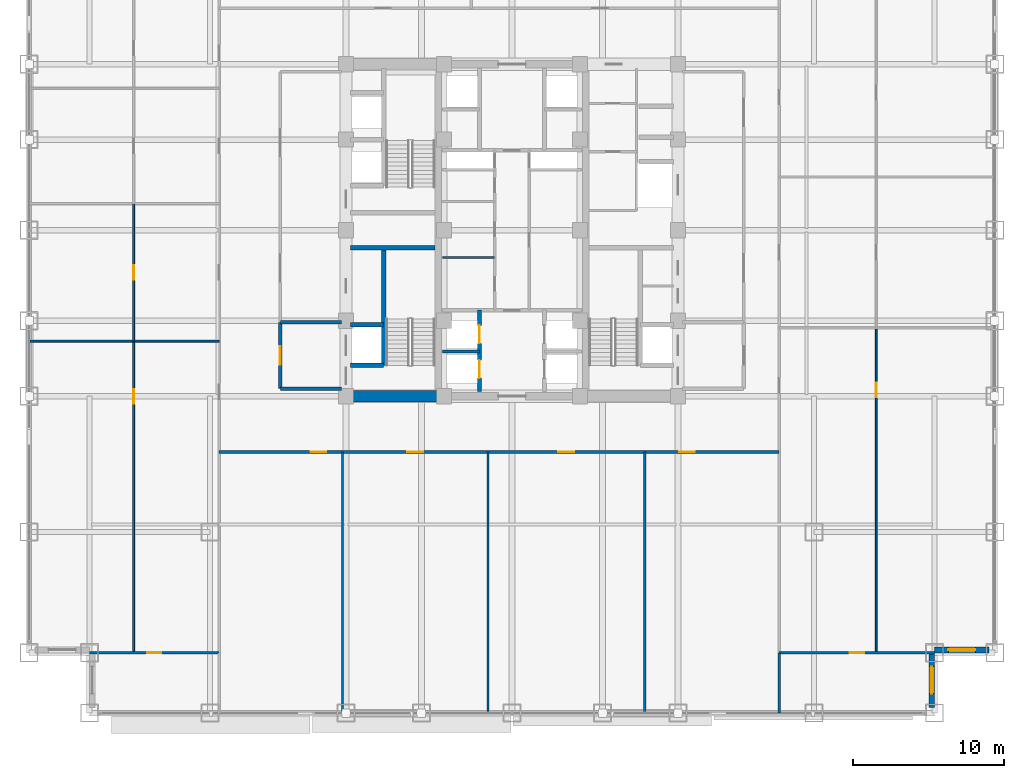
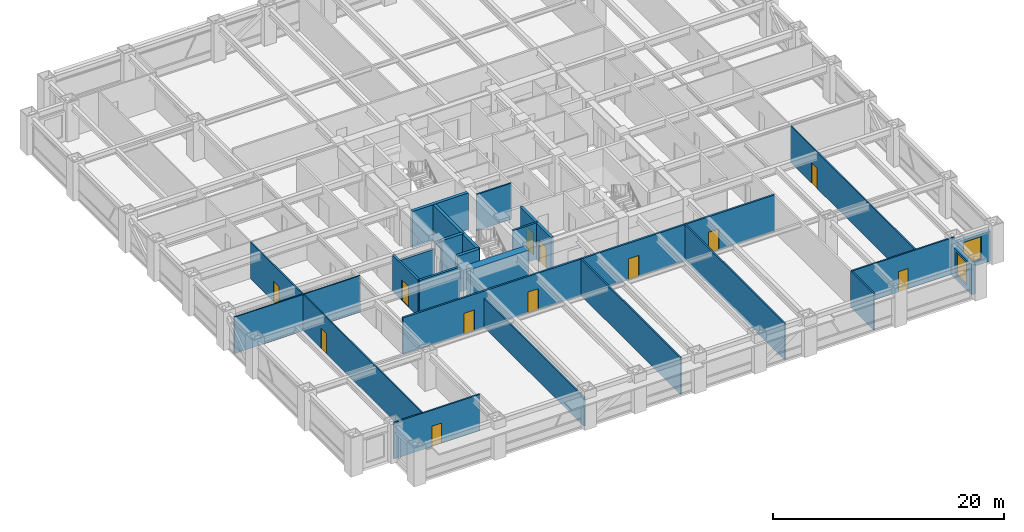
# One storey, part 23 of 32: 24 walls, 12 doors, 2 windows, 14 openings.
"""IFC4 building model written with IfcOpenShell, lengths in metres."""

from ifc_helpers import new_model, si_unit, direction, frame, frame_2d, origin, place, context, subcontext, project, spatial, rectangle, extrude, source, transform, mapped, material, layer, layer_set, type_object, element, fill, save


model = new_model("IFC4")

# Units and contexts
model_context = context("Model", 3, precision=1e-05, world=origin(), true_north=direction((0.0, 1.0)))
body_context = subcontext(model_context, "Body", "Model", "MODEL_VIEW")
ifc_project = project(units=[si_unit("LENGTHUNIT", "METRE"), si_unit("AREAUNIT", "SQUARE_METRE"), si_unit("VOLUMEUNIT", "CUBIC_METRE"), si_unit("PLANEANGLEUNIT", "RADIAN"), si_unit("MASSUNIT", "GRAM", prefix="KILO")], contexts=[model_context])

# Site, building, storey
site_placement = place(None, origin())
site = spatial("IfcSite", under=ifc_project, at=site_placement, CompositionType="ELEMENT")
building_placement = place(site_placement, origin())
building = spatial("IfcBuilding", under=site, at=building_placement, Name="Khorayat Bourse Tower", CompositionType="ELEMENT")
storey_placement = place(building_placement, frame((0.0, 0.0, 136.5)))
storey = spatial("IfcBuildingStorey", under=building, at=storey_placement, Name="L31", CompositionType="ELEMENT", Elevation=136.5)

# Walls
ifc_material_1 = material(Name="Concrete C72/90", Category="concrete")
ifc_layer_1 = layer(ifc_material_1, 0.75)
ifc_layer_set_1 = layer_set([ifc_layer_1], Name="Concrete C72/90")
wall_type_1 = type_object("IfcWallType", Name="WAL-CORE-750", PredefinedType="SHEAR", material=ifc_layer_set_1)
shared_shape_1 = source(origin(), body_context, "Body", "SweptSolid", [
    extrude(rectangle(XDim=5.849853515625, YDim=0.75, at=frame_2d((2.9248046875, 0.0))), origin(), (0.0, 0.0, 1.0), 3.840087890625),
])
wall_1_placement = place(storey_placement, frame((-10.699951171875, -11.0, 0.0), z_axis=(0.0, 0.0, 1.0), x_axis=(1.0, 0.0, 0.0)))
element("IfcWall", 1, at=wall_1_placement, inside=storey, type_object=wall_type_1, Name="L31 Core Shear Wall PIER-WS", PredefinedType="SHEAR", context=body_context, shape_type="MappedRepresentation", body=[
    mapped(shared_shape_1, transform((0.0, 0.0, 0.0), scale=1.0)),
])
ifc_material_2 = material(Name="Concrete C50/60", Category="concrete")
ifc_layer_2 = layer(ifc_material_2, 0.300048828125)
ifc_layer_set_2 = layer_set([ifc_layer_2], Name="Concrete C50/60")
wall_type_2 = type_object("IfcWallType", Name="WAL-SHAFT-300", PredefinedType="SHEAR", material=ifc_layer_set_2)
shared_shape_2 = source(origin(), body_context, "Body", "SweptSolid", [
    extrude(rectangle(XDim=5.599853515625, YDim=0.300048828125, at=frame_2d((2.7998046875, 0.0))), origin(), (0.0, 0.0, 1.0), 3.840087890625),
])
wall_2_placement = place(storey_placement, frame((-10.699951171875, -1.14990234375, 0.0), z_axis=(0.0, 0.0, 1.0), x_axis=(1.0, 0.0, 0.0)))
element("IfcWall", 2, at=wall_2_placement, inside=storey, type_object=wall_type_2, Name="L31 Core Shear Wall ST1-DIV", PredefinedType="SHEAR", context=body_context, shape_type="MappedRepresentation", body=[
    mapped(shared_shape_2, transform((0.0, 0.0, 0.0), scale=1.0)),
])

# Wall, opening, window
ifc_material_3 = material(Name="Precast concrete C45/55", Category="concrete")
ifc_layer_3 = layer(ifc_material_3, 0.3798828125)
ifc_layer_set_3 = layer_set([ifc_layer_3], Name="Precast concrete C45/55")
wall_type_3 = type_object("IfcWallType", Name="WAL-EXT-STONE-380", PredefinedType="STANDARD", material=ifc_layer_set_3)
shared_shape_3 = source(origin(), body_context, "Body", "SweptSolid", [
    extrude(rectangle(XDim=3.6201171875, YDim=0.3798828125, at=frame_2d((1.81005859375, 0.0))), origin(), (0.0, 0.0, 1.0), 3.14501953125),
])
wall_3_placement = place(storey_placement, frame((27.81005859375, -31.6201171875, 0.0), z_axis=(0.0, 0.0, 1.0), x_axis=(0.0, 1.0, 0.0)))
wall_3 = element("IfcWall", 3, at=wall_3_placement, inside=storey, type_object=wall_type_3, Name="L31 Re-Entrant Notch Limestone Wall SE-V", PredefinedType="STANDARD", context=body_context, shape_type="MappedRepresentation", body=[
    mapped(shared_shape_3, transform((0.0, 0.0, 0.0), scale=1.0)),
])
shared_shape_4 = source(origin(), body_context, "Body", "SweptSolid", [
    extrude(rectangle(XDim=1.800048828125, YDim=2.39990234375, at=frame_2d((0.89990234375, 1.199951171875))), frame((0.0, 0.199951171875, 0.0), z_axis=(0.0, -1.0, 0.0), x_axis=(1.0, 0.0, 0.0)), (0.0, 0.0, 1.0), 0.39990234375),
])
opening_1_placement = place(wall_3_placement, frame((0.909912109375, 0.0, 0.5)))
opening_1 = element("IfcOpeningElement", 4, at=opening_1_placement, cuts=wall_3, Name="Opening WN-04", PredefinedType="OPENING", context=body_context, shape_type="MappedRepresentation", body=[
    mapped(shared_shape_4, transform((0.0, 0.0, 0.0), scale=1.0)),
])
ifc_material_4 = material(Name="Low-E acoustic laminated double glazing", Category="glass")
window_type = type_object("IfcWindowType", Name="WIN-NOTCH-1800x2400", PartitioningType="SINGLE_PANEL", PredefinedType="WINDOW", material=ifc_material_4)
shared_shape_5 = source(origin(), body_context, "Body", "SweptSolid", [
    extrude(rectangle(XDim=1.800048828125, YDim=2.39990234375, at=frame_2d((0.89990234375, 1.199951171875))), frame((0.0, 0.030029296875, 0.0), z_axis=(0.0, -1.0, 0.0), x_axis=(1.0, 0.0, 0.0)), (0.0, 0.0, 1.0), 0.06005859375),
])
window_1_placement = place(opening_1_placement, origin())
window_1 = element("IfcWindow", 5, at=window_1_placement, inside=storey, type_object=window_type, Name="L31 Facade Window 1", OverallHeight=2.39990234375, OverallWidth=1.800048828125, PartitioningType="SINGLE_PANEL", PredefinedType="WINDOW", context=body_context, shape_type="MappedRepresentation", body=[
    mapped(shared_shape_5, transform((0.0, 0.0, 0.0), scale=1.0)),
])
fill(opening_1, window_1)

wall_4_placement = place(storey_placement, frame((28.0, -27.81005859375, 0.0), z_axis=(0.0, 0.0, 1.0), x_axis=(1.0, 0.0, 0.0)))
wall_4 = element("IfcWall", 6, at=wall_4_placement, inside=storey, type_object=wall_type_3, Name="L31 Re-Entrant Notch Limestone Wall SE-H", PredefinedType="STANDARD", context=body_context, shape_type="MappedRepresentation", body=[
    mapped(shared_shape_3, transform((0.0, 0.0, 0.0), scale=1.0)),
])
opening_2_placement = place(wall_4_placement, frame((0.909912109375, 0.0, 0.5)))
opening_2 = element("IfcOpeningElement", 7, at=opening_2_placement, cuts=wall_4, Name="Opening WN-04", PredefinedType="OPENING", context=body_context, shape_type="MappedRepresentation", body=[
    mapped(shared_shape_4, transform((0.0, 0.0, 0.0), scale=1.0)),
])
window_2_placement = place(opening_2_placement, origin())
window_2 = element("IfcWindow", 8, at=window_2_placement, inside=storey, type_object=window_type, Name="L31 Facade Window 1", OverallHeight=2.39990234375, OverallWidth=1.800048828125, PartitioningType="SINGLE_PANEL", PredefinedType="WINDOW", context=body_context, shape_type="MappedRepresentation", body=[
    mapped(shared_shape_5, transform((0.0, 0.0, 0.0), scale=1.0)),
])
fill(opening_2, window_2)

# Walls
shared_shape_6 = source(origin(), body_context, "Body", "SweptSolid", [
    extrude(rectangle(XDim=7.800048828125, YDim=0.300048828125, at=frame_2d((3.89990234375, 0.0))), origin(), (0.0, 0.0, 1.0), 3.840087890625),
])
wall_5_placement = place(storey_placement, frame((-8.5, -8.949951171875, 0.0), z_axis=(0.0, 0.0, 1.0), x_axis=(0.0, 1.0, 0.0)))
element("IfcWall", 9, at=wall_5_placement, inside=storey, type_object=wall_type_2, Name="L31 Partition WAL-L31-WPIER-SP", PredefinedType="SHEAR", context=body_context, shape_type="MappedRepresentation", body=[
    mapped(shared_shape_6, transform((0.0, 0.0, 0.0), scale=1.0)),
])
shared_shape_7 = source(origin(), body_context, "Body", "SweptSolid", [
    extrude(rectangle(XDim=2.199951171875, YDim=0.300048828125, at=frame_2d((1.10009765625, 0.0))), origin(), (0.0, 0.0, 1.0), 3.840087890625),
])
for number, where, z_axis, x_axis, name in (
    (10, (-10.699951171875, -8.949951171875, 0.0), (0.0, 0.0, 1.0), (1.0, 0.0, 0.0), "L31 Partition WAL-L31-WPIER-FF1S"),
    (11, (-10.699951171875, -6.25, 0.0), (0.0, 0.0, 1.0), (1.0, 0.0, 0.0), "L31 Partition WAL-L31-WPIER-FF1N"),
):
    element("IfcWall", number, at=place(storey_placement, frame(where, z_axis=z_axis, x_axis=x_axis)), inside=storey, type_object=wall_type_2, Name=name, PredefinedType="SHEAR", context=body_context, shape_type="MappedRepresentation", body=[
        mapped(shared_shape_7, transform((0.0, 0.0, 0.0), scale=1.0)),
    ])
ifc_material_5 = material(Name="Aerated concrete blockwork", Category="masonry")
ifc_layer_4 = layer(ifc_material_5, 0.219970703125)
ifc_layer_set_4 = layer_set([ifc_layer_4], Name="Aerated concrete blockwork")
wall_type_4 = type_object("IfcWallType", Name="WAL-PART-FF-220", PredefinedType="PARTITIONING", material=ifc_layer_set_4)
shared_shape_8 = source(origin(), body_context, "Body", "SweptSolid", [
    extrude(rectangle(XDim=4.050048828125, YDim=0.219970703125, at=frame_2d((2.02490234375, 0.0))), origin(), (0.0, 0.0, 1.0), 3.840087890625),
])
wall_6_placement = place(storey_placement, frame((-15.35009765625, -10.5, 0.0), z_axis=(0.0, 0.0, 1.0), x_axis=(1.0, 0.0, 0.0)))
element("IfcWall", 12, at=wall_6_placement, inside=storey, type_object=wall_type_4, Name="L31 Partition WAL-L31-FFLW-S", PredefinedType="PARTITIONING", context=body_context, shape_type="MappedRepresentation", body=[
    mapped(shared_shape_8, transform((0.0, 0.0, 0.0), scale=1.0)),
])

# Wall, opening, door
shared_shape_9 = source(origin(), body_context, "Body", "SweptSolid", [
    extrude(rectangle(XDim=4.39990234375, YDim=0.219970703125, at=frame_2d((2.199951171875, 0.0))), origin(), (0.0, 0.0, 1.0), 3.840087890625),
])
wall_7_placement = place(storey_placement, frame((-15.35009765625, -10.5, 0.0), z_axis=(0.0, 0.0, 1.0), x_axis=(0.0, 1.0, 0.0)))
wall_7 = element("IfcWall", 13, at=wall_7_placement, inside=storey, type_object=wall_type_4, Name="L31 Partition WAL-L31-FFLW-W", PredefinedType="PARTITIONING", context=body_context, shape_type="MappedRepresentation", body=[
    mapped(shared_shape_9, transform((0.0, 0.0, 0.0), scale=1.0)),
])
shared_shape_10 = source(origin(), body_context, "Body", "SweptSolid", [
    extrude(rectangle(XDim=1.199951171875, YDim=2.199951171875, at=frame_2d((0.60009765625, 1.10009765625))), frame((0.0, 0.119873046875, 0.0), z_axis=(0.0, -1.0, 0.0), x_axis=(1.0, 0.0, 0.0)), (0.0, 0.0, 1.0), 0.239990234375),
])
opening_3_placement = place(wall_7_placement, frame((1.60009765625, 0.0, 0.0)))
opening_3 = element("IfcOpeningElement", 14, at=opening_3_placement, cuts=wall_7, Name="Opening DI-02", PredefinedType="OPENING", context=body_context, shape_type="MappedRepresentation", body=[
    mapped(shared_shape_10, transform((0.0, 0.0, 0.0), scale=1.0)),
])
ifc_material_6 = material(Name="Fire-rated steel double-seal leaf", Category="steel")
door_type_1 = type_object("IfcDoorType", Name="DR-INT-FFLOBBY-1200", OperationType="NOTDEFINED", PredefinedType="DOOR", material=ifc_material_6)
shared_shape_11 = source(origin(), body_context, "Body", "SweptSolid", [
    extrude(rectangle(XDim=1.199951171875, YDim=2.199951171875, at=frame_2d((0.60009765625, 1.10009765625))), frame((0.0, 0.02490234375, 0.0), z_axis=(0.0, -1.0, 0.0), x_axis=(1.0, 0.0, 0.0)), (0.0, 0.0, 1.0), 0.050048828125),
])
door_1_placement = place(opening_3_placement, origin())
door_1 = element("IfcDoor", 15, at=door_1_placement, inside=storey, type_object=door_type_1, Name="L31 West Firefighting Lobby Door", OperationType="SINGLE_SWING_LEFT", OverallHeight=2.199951171875, OverallWidth=1.199951171875, PredefinedType="DOOR", context=body_context, shape_type="MappedRepresentation", body=[
    mapped(shared_shape_11, transform((0.0, 0.0, 0.0), scale=1.0)),
])
fill(opening_3, door_1)

# Wall, openings, doors
shared_shape_12 = source(origin(), body_context, "Body", "SweptSolid", [
    extrude(rectangle(XDim=5.39990234375, YDim=0.25, at=frame_2d((2.699951171875, 0.0))), origin(), (0.0, 0.0, 1.0), 3.840087890625),
])
wall_8_placement = place(storey_placement, frame((-2.14990234375, -10.699951171875, 0.0), z_axis=(0.0, 0.0, 1.0), x_axis=(0.0, 1.0, 0.0)))
wall_8 = element("IfcWall", 16, at=wall_8_placement, inside=storey, type_object=wall_type_2, Name="L31 Partition WAL-L31-B1-W", PredefinedType="SHEAR", context=body_context, shape_type="MappedRepresentation", body=[
    mapped(shared_shape_12, transform((0.0, 0.0, 0.0), scale=1.0)),
])
shared_shape_13 = source(origin(), body_context, "Body", "SweptSolid", [
    extrude(rectangle(XDim=1.199951171875, YDim=2.300048828125, at=frame_2d((0.60009765625, 1.14990234375))), frame((0.0, 0.135009765625, 0.0), z_axis=(0.0, -1.0, 0.0), x_axis=(1.0, 0.0, 0.0)), (0.0, 0.0, 1.0), 0.27001953125),
])
opening_4_placement = place(wall_8_placement, frame((0.89990234375, 0.0, 0.0)))
opening_4 = element("IfcOpeningElement", 17, at=opening_4_placement, cuts=wall_8, Name="Opening LD-01", PredefinedType="OPENING", context=body_context, shape_type="MappedRepresentation", body=[
    mapped(shared_shape_13, transform((0.0, 0.0, 0.0), scale=1.0)),
])
opening_5_placement = place(wall_8_placement, frame((3.199951171875, 0.0, 0.0)))
opening_5 = element("IfcOpeningElement", 18, at=opening_5_placement, cuts=wall_8, Name="Opening LD-01", PredefinedType="OPENING", context=body_context, shape_type="MappedRepresentation", body=[
    mapped(shared_shape_13, transform((0.0, 0.0, 0.0), scale=1.0)),
])
ifc_material_7 = material(Name="Brushed bronze stainless-steel sliding door", Category="steel")
door_type_2 = type_object("IfcDoorType", Name="DR-LIFT-PASS-1200", OperationType="NOTDEFINED", PredefinedType="DOOR", material=ifc_material_7)
shared_shape_14 = source(origin(), body_context, "Body", "SweptSolid", [
    extrude(rectangle(XDim=1.199951171875, YDim=2.300048828125, at=frame_2d((0.60009765625, 1.14990234375))), frame((0.0, 0.02490234375, 0.0), z_axis=(0.0, -1.0, 0.0), x_axis=(1.0, 0.0, 0.0)), (0.0, 0.0, 1.0), 0.050048828125),
])
door_2_placement = place(opening_4_placement, origin())
door_2 = element("IfcDoor", 19, at=door_2_placement, inside=storey, type_object=door_type_2, Name="L31 Lift PL-L1 Sliding Landing Door", OperationType="SLIDING_TO_LEFT", OverallHeight=2.300048828125, OverallWidth=1.199951171875, PredefinedType="DOOR", context=body_context, shape_type="MappedRepresentation", body=[
    mapped(shared_shape_14, transform((0.0, 0.0, 0.0), scale=1.0)),
])
fill(opening_4, door_2)
door_3_placement = place(opening_5_placement, origin())
door_3 = element("IfcDoor", 20, at=door_3_placement, inside=storey, type_object=door_type_2, Name="L31 Lift PL-L3 Sliding Landing Door", OperationType="SLIDING_TO_LEFT", OverallHeight=2.300048828125, OverallWidth=1.199951171875, PredefinedType="DOOR", context=body_context, shape_type="MappedRepresentation", body=[
    mapped(shared_shape_14, transform((0.0, 0.0, 0.0), scale=1.0)),
])
fill(opening_5, door_3)

# Walls
shared_shape_15 = source(origin(), body_context, "Body", "SweptSolid", [
    extrude(rectangle(XDim=2.4501953125, YDim=0.199951171875, at=frame_2d((1.22509765625, 0.0))), origin(), (0.0, 0.0, 1.0), 3.840087890625),
])
wall_9_placement = place(storey_placement, frame((-4.60009765625, -8.050048828125, 0.0), z_axis=(0.0, 0.0, 1.0), x_axis=(1.0, 0.0, 0.0)))
element("IfcWall", 21, at=wall_9_placement, inside=storey, type_object=wall_type_2, Name="L31 Partition WAL-L31-B1-MW", PredefinedType="SHEAR", context=body_context, shape_type="MappedRepresentation", body=[
    mapped(shared_shape_15, transform((0.0, 0.0, 0.0), scale=1.0)),
])
ifc_material_8 = material(Name="Moisture-resistant masonry partition", Category="masonry")
ifc_layer_5 = layer(ifc_material_8, 0.139892578125)
ifc_layer_set_5 = layer_set([ifc_layer_5], Name="Moisture-resistant masonry partition")
wall_type_5 = type_object("IfcWallType", Name="WAL-PART-WET-140", PredefinedType="PARTITIONING", material=ifc_layer_set_5)
shared_shape_16 = source(origin(), body_context, "Body", "SweptSolid", [
    extrude(rectangle(XDim=3.4501953125, YDim=0.139892578125, at=frame_2d((1.72509765625, 0.0))), origin(), (0.0, 0.0, 1.0), 3.840087890625),
])
wall_10_placement = place(storey_placement, frame((-4.60009765625, -1.800048828125, 0.0), z_axis=(0.0, 0.0, 1.0), x_axis=(1.0, 0.0, 0.0)))
element("IfcWall", 22, at=wall_10_placement, inside=storey, type_object=wall_type_5, Name="L31 Partition WAL-L31-CMW-D1", PredefinedType="PARTITIONING", context=body_context, shape_type="MappedRepresentation", body=[
    mapped(shared_shape_16, transform((0.0, 0.0, 0.0), scale=1.0)),
])

# Wall, openings, doors
ifc_material_9 = material(Name="Gypsum plasterboard acoustic stud wall")
ifc_layer_6 = layer(ifc_material_9, 0.179931640625)
ifc_layer_set_6 = layer_set([ifc_layer_6], Name="Gypsum plasterboard acoustic stud wall")
wall_type_6 = type_object("IfcWallType", Name="WAL-PART-CORR-180", PredefinedType="PARTITIONING", material=ifc_layer_set_6)
shared_shape_17 = source(origin(), body_context, "Body", "SweptSolid", [
    extrude(rectangle(XDim=37.099853515625, YDim=0.179931640625, at=frame_2d((18.5498046875, 0.0))), origin(), (0.0, 0.0, 1.0), 3.840087890625),
])
wall_11_placement = place(storey_placement, frame((-19.39990234375, -14.699951171875, 0.0), z_axis=(0.0, 0.0, 1.0), x_axis=(1.0, 0.0, 0.0)))
wall_11 = element("IfcWall", 23, at=wall_11_placement, inside=storey, type_object=wall_type_6, Name="L31 Partition WAL-L31-SCORR", PredefinedType="PARTITIONING", context=body_context, shape_type="MappedRepresentation", body=[
    mapped(shared_shape_17, transform((0.0, 0.0, 0.0), scale=1.0)),
])
shared_shape_18 = source(origin(), body_context, "Body", "SweptSolid", [
    extrude(rectangle(XDim=1.050048828125, YDim=2.199951171875, at=frame_2d((0.52490234375, 1.10009765625))), frame((0.0, 0.099853515625, 0.0), z_axis=(0.0, -1.0, 0.0), x_axis=(1.0, 0.0, 0.0)), (0.0, 0.0, 1.0), 0.199951171875),
])
opening_6_placement = place(wall_11_placement, frame((6.055908203125, 0.0, 0.0)))
opening_6 = element("IfcOpeningElement", 24, at=opening_6_placement, cuts=wall_11, Name="Opening DI-04", PredefinedType="OPENING", context=body_context, shape_type="MappedRepresentation", body=[
    mapped(shared_shape_18, transform((0.0, 0.0, 0.0), scale=1.0)),
])
opening_7_placement = place(wall_11_placement, frame((12.4599609375, 0.0, 0.0)))
opening_7 = element("IfcOpeningElement", 25, at=opening_7_placement, cuts=wall_11, Name="Opening DI-04", PredefinedType="OPENING", context=body_context, shape_type="MappedRepresentation", body=[
    mapped(shared_shape_18, transform((0.0, 0.0, 0.0), scale=1.0)),
])
opening_8_placement = place(wall_11_placement, frame((22.47705078125, 0.0, 0.0)))
opening_8 = element("IfcOpeningElement", 26, at=opening_8_placement, cuts=wall_11, Name="Opening DI-04", PredefinedType="OPENING", context=body_context, shape_type="MappedRepresentation", body=[
    mapped(shared_shape_18, transform((0.0, 0.0, 0.0), scale=1.0)),
])
opening_9_placement = place(wall_11_placement, frame((30.472900390625, 0.0, 0.0)))
opening_9 = element("IfcOpeningElement", 27, at=opening_9_placement, cuts=wall_11, Name="Opening DI-04", PredefinedType="OPENING", context=body_context, shape_type="MappedRepresentation", body=[
    mapped(shared_shape_18, transform((0.0, 0.0, 0.0), scale=1.0)),
])
ifc_material_10 = material(Name="Fire-rated oak veneer suite entrance door")
door_type_3 = type_object("IfcDoorType", Name="DR-INT-SUITE-1050", OperationType="NOTDEFINED", PredefinedType="DOOR", material=ifc_material_10)
shared_shape_19 = source(origin(), body_context, "Body", "SweptSolid", [
    extrude(rectangle(XDim=1.050048828125, YDim=2.199951171875, at=frame_2d((0.52490234375, 1.10009765625))), frame((0.0, 0.02490234375, 0.0), z_axis=(0.0, -1.0, 0.0), x_axis=(1.0, 0.0, 0.0)), (0.0, 0.0, 1.0), 0.050048828125),
])
door_4_placement = place(opening_6_placement, origin())
door_4 = element("IfcDoor", 28, at=door_4_placement, inside=storey, type_object=door_type_3, Name="L31 Floor Reception Concierge S1 Door", OperationType="SINGLE_SWING_RIGHT", OverallHeight=2.199951171875, OverallWidth=1.050048828125, PredefinedType="DOOR", context=body_context, shape_type="MappedRepresentation", body=[
    mapped(shared_shape_19, transform((0.0, 0.0, 0.0), scale=1.0)),
])
fill(opening_6, door_4)
door_5_placement = place(opening_7_placement, origin())
door_5 = element("IfcDoor", 29, at=door_5_placement, inside=storey, type_object=door_type_3, Name="L31 Issuer Listing Showroom S2 Door", OperationType="SINGLE_SWING_LEFT", OverallHeight=2.199951171875, OverallWidth=1.050048828125, PredefinedType="DOOR", context=body_context, shape_type="MappedRepresentation", body=[
    mapped(shared_shape_19, transform((0.0, 0.0, 0.0), scale=1.0)),
])
fill(opening_7, door_5)
door_6_placement = place(opening_8_placement, origin())
door_6 = element("IfcDoor", 30, at=door_6_placement, inside=storey, type_object=door_type_3, Name="L31 Members Exchange Lounge S3 Door", OperationType="SINGLE_SWING_RIGHT", OverallHeight=2.199951171875, OverallWidth=1.050048828125, PredefinedType="DOOR", context=body_context, shape_type="MappedRepresentation", body=[
    mapped(shared_shape_19, transform((0.0, 0.0, 0.0), scale=1.0)),
])
fill(opening_8, door_6)
door_7_placement = place(opening_9_placement, origin())
door_7 = element("IfcDoor", 31, at=door_7_placement, inside=storey, type_object=door_type_3, Name="L31 Members Dining Room S4 Door", OperationType="SINGLE_SWING_LEFT", OverallHeight=2.199951171875, OverallWidth=1.050048828125, PredefinedType="DOOR", context=body_context, shape_type="MappedRepresentation", body=[
    mapped(shared_shape_19, transform((0.0, 0.0, 0.0), scale=1.0)),
])
fill(opening_9, door_7)

# Walls
ifc_material_11 = material(Name="Gypsum plasterboard twin-frame partition")
ifc_layer_7 = layer(ifc_material_11, 0.14990234375)
ifc_layer_set_7 = layer_set([ifc_layer_7], Name="Gypsum plasterboard twin-frame partition")
wall_type_7 = type_object("IfcWallType", Name="WAL-PART-SUITE-150", PredefinedType="PARTITIONING", material=ifc_layer_set_7)
shared_shape_20 = source(origin(), body_context, "Body", "SweptSolid", [
    extrude(rectangle(XDim=4.0, YDim=0.14990234375, at=frame_2d((2.0, 0.0))), origin(), (0.0, 0.0, 1.0), 3.840087890625),
])
wall_12_placement = place(storey_placement, frame((17.699951171875, -32.0, 0.0), z_axis=(0.0, 0.0, 1.0), x_axis=(0.0, 1.0, 0.0)))
element("IfcWall", 32, at=wall_12_placement, inside=storey, type_object=wall_type_7, Name="L31 Partition WAL-L31-SCE-END", PredefinedType="PARTITIONING", context=body_context, shape_type="MappedRepresentation", body=[
    mapped(shared_shape_20, transform((0.0, 0.0, 0.0), scale=1.0)),
])
ifc_material_12 = material(Name="Gypsum plasterboard partition")
ifc_layer_8 = layer(ifc_material_12, 0.125)
ifc_layer_set_8 = layer_set([ifc_layer_8], Name="Gypsum plasterboard partition")
wall_type_8 = type_object("IfcWallType", Name="WAL-PART-ROOM-125", PredefinedType="PARTITIONING", material=ifc_layer_set_8)
shared_shape_21 = source(origin(), body_context, "Body", "SweptSolid", [
    extrude(rectangle(XDim=12.60009765625, YDim=0.125, at=frame_2d((6.300048828125, 0.0))), origin(), (0.0, 0.0, 1.0), 3.840087890625),
])
wall_13_placement = place(storey_placement, frame((-32.0, -7.35009765625, 0.0), z_axis=(0.0, 0.0, 1.0), x_axis=(1.0, 0.0, 0.0)))
element("IfcWall", 33, at=wall_13_placement, inside=storey, type_object=wall_type_8, Name="L31 Partition WAL-L31-WDV-1", PredefinedType="PARTITIONING", context=body_context, shape_type="MappedRepresentation", body=[
    mapped(shared_shape_21, transform((0.0, 0.0, 0.0), scale=1.0)),
])

# Wall, opening, door
shared_shape_22 = source(origin(), body_context, "Body", "SweptSolid", [
    extrude(rectangle(XDim=8.60009765625, YDim=0.14990234375, at=frame_2d((4.300048828125, 0.0))), origin(), (0.0, 0.0, 1.0), 3.840087890625),
])
wall_14_placement = place(storey_placement, frame((-28.0, -28.0, 0.0), z_axis=(0.0, 0.0, 1.0), x_axis=(1.0, 0.0, 0.0)))
wall_14 = element("IfcWall", 34, at=wall_14_placement, inside=storey, type_object=wall_type_7, Name="L31 Partition WAL-L31-CSW", PredefinedType="PARTITIONING", context=body_context, shape_type="MappedRepresentation", body=[
    mapped(shared_shape_22, transform((0.0, 0.0, 0.0), scale=1.0)),
])
shared_shape_23 = source(origin(), body_context, "Body", "SweptSolid", [
    extrude(rectangle(XDim=0.949951171875, YDim=2.14990234375, at=frame_2d((0.47509765625, 1.074951171875))), frame((0.0, 0.0849609375, 0.0), z_axis=(0.0, -1.0, 0.0), x_axis=(1.0, 0.0, 0.0)), (0.0, 0.0, 1.0), 0.169921875),
])
opening_10_placement = place(wall_14_placement, frame((3.824951171875, 0.0, 0.0)))
opening_10 = element("IfcOpeningElement", 35, at=opening_10_placement, cuts=wall_14, Name="Opening DI-05", PredefinedType="OPENING", context=body_context, shape_type="MappedRepresentation", body=[
    mapped(shared_shape_23, transform((0.0, 0.0, 0.0), scale=1.0)),
])
ifc_material_13 = material(Name="Acoustic oak veneer office door")
door_type_4 = type_object("IfcDoorType", Name="DR-INT-OFFICE-950", OperationType="NOTDEFINED", PredefinedType="DOOR", material=ifc_material_13)
shared_shape_24 = source(origin(), body_context, "Body", "SweptSolid", [
    extrude(rectangle(XDim=0.949951171875, YDim=2.14990234375, at=frame_2d((0.47509765625, 1.074951171875))), frame((0.0, 0.02490234375, 0.0), z_axis=(0.0, -1.0, 0.0), x_axis=(1.0, 0.0, 0.0)), (0.0, 0.0, 1.0), 0.050048828125),
])
door_8_placement = place(opening_10_placement, origin())
door_8 = element("IfcDoor", 36, at=door_8_placement, inside=storey, type_object=door_type_4, Name="L31 South-West Corner Office Door", OperationType="SINGLE_SWING_LEFT", OverallHeight=2.14990234375, OverallWidth=0.949951171875, PredefinedType="DOOR", context=body_context, shape_type="MappedRepresentation", body=[
    mapped(shared_shape_24, transform((0.0, 0.0, 0.0), scale=1.0)),
])
fill(opening_10, door_8)

shared_shape_25 = source(origin(), body_context, "Body", "SweptSolid", [
    extrude(rectangle(XDim=10.300048828125, YDim=0.14990234375, at=frame_2d((5.14990234375, 0.0))), origin(), (0.0, 0.0, 1.0), 3.840087890625),
])
wall_15_placement = place(storey_placement, frame((17.699951171875, -28.0, 0.0), z_axis=(0.0, 0.0, 1.0), x_axis=(1.0, 0.0, 0.0)))
wall_15 = element("IfcWall", 37, at=wall_15_placement, inside=storey, type_object=wall_type_7, Name="L31 Partition WAL-L31-CSE", PredefinedType="PARTITIONING", context=body_context, shape_type="MappedRepresentation", body=[
    mapped(shared_shape_25, transform((0.0, 0.0, 0.0), scale=1.0)),
])
opening_11_placement = place(wall_15_placement, frame((4.675048828125, 0.0, 0.0)))
opening_11 = element("IfcOpeningElement", 38, at=opening_11_placement, cuts=wall_15, Name="Opening DI-05", PredefinedType="OPENING", context=body_context, shape_type="MappedRepresentation", body=[
    mapped(shared_shape_23, transform((0.0, 0.0, 0.0), scale=1.0)),
])
door_9_placement = place(opening_11_placement, origin())
door_9 = element("IfcDoor", 39, at=door_9_placement, inside=storey, type_object=door_type_4, Name="L31 South-East Corner Briefing Room Door", OperationType="SINGLE_SWING_LEFT", OverallHeight=2.14990234375, OverallWidth=0.949951171875, PredefinedType="DOOR", context=body_context, shape_type="MappedRepresentation", body=[
    mapped(shared_shape_24, transform((0.0, 0.0, 0.0), scale=1.0)),
])
fill(opening_11, door_9)

# Walls
shared_shape_26 = source(origin(), body_context, "Body", "SweptSolid", [
    extrude(rectangle(XDim=4.050048828125, YDim=0.219970703125, at=frame_2d((2.02490234375, 0.0))), origin(), (0.0, 0.0, 1.0), 3.06689453125),
])
wall_16_placement = place(storey_placement, frame((-15.35009765625, -6.10009765625, 0.0), z_axis=(0.0, 0.0, 1.0), x_axis=(1.0, 0.0, 0.0)))
element("IfcWall", 40, at=wall_16_placement, inside=storey, type_object=wall_type_4, Name="L31 Partition WAL-L31-FFLW-N", PredefinedType="PARTITIONING", context=body_context, shape_type="MappedRepresentation", body=[
    mapped(shared_shape_26, transform((0.0, 0.0, 0.0), scale=1.0)),
])
shared_shape_27 = source(origin(), body_context, "Body", "SweptSolid", [
    extrude(rectangle(XDim=17.300048828125, YDim=0.14990234375, at=frame_2d((8.64990234375, 0.0))), origin(), (0.0, 0.0, 1.0), 3.840087890625),
])
for number, where, z_axis, x_axis, name in (
    (41, (-1.592041015625, -32.0, 0.0), (0.0, 0.0, 1.0), (0.0, 1.0, 0.0), "L31 Partition WAL-L31-SDV-2"),
    (42, (8.7958984375, -32.0, 0.0), (0.0, 0.0, 1.0), (0.0, 1.0, 0.0), "L31 Partition WAL-L31-SDV-3"),
):
    element("IfcWall", number, at=place(storey_placement, frame(where, z_axis=z_axis, x_axis=x_axis)), inside=storey, type_object=wall_type_7, Name=name, PredefinedType="PARTITIONING", context=body_context, shape_type="MappedRepresentation", body=[
        mapped(shared_shape_27, transform((0.0, 0.0, 0.0), scale=1.0)),
    ])
shared_shape_28 = source(origin(), body_context, "Body", "SweptSolid", [
    extrude(rectangle(XDim=17.300048828125, YDim=0.14990234375, at=frame_2d((8.64990234375, 0.0))), origin(), (0.0, 0.0, 1.0), 3.06689453125),
])
wall_17_placement = place(storey_placement, frame((-11.238037109375, -32.0, 0.0), z_axis=(0.0, 0.0, 1.0), x_axis=(0.0, 1.0, 0.0)))
element("IfcWall", 43, at=wall_17_placement, inside=storey, type_object=wall_type_7, Name="L31 Partition WAL-L31-SDV-1", PredefinedType="PARTITIONING", context=body_context, shape_type="MappedRepresentation", body=[
    mapped(shared_shape_28, transform((0.0, 0.0, 0.0), scale=1.0)),
])

# Wall, opening, door
shared_shape_29 = source(origin(), body_context, "Body", "SweptSolid", [
    extrude(rectangle(XDim=20.64990234375, YDim=0.125, at=frame_2d((10.324951171875, 0.0))), origin(), (0.0, 0.0, 1.0), 3.840087890625),
])
wall_18_placement = place(storey_placement, frame((-25.070068359375, -28.0, 0.0), z_axis=(0.0, 0.0, 1.0), x_axis=(0.0, 1.0, 0.0)))
wall_18 = element("IfcWall", 44, at=wall_18_placement, inside=storey, type_object=wall_type_8, Name="L31 Partition WAL-L31-WDP-1", PredefinedType="PARTITIONING", context=body_context, shape_type="MappedRepresentation", body=[
    mapped(shared_shape_29, transform((0.0, 0.0, 0.0), scale=1.0)),
])
shared_shape_30 = source(origin(), body_context, "Body", "SweptSolid", [
    extrude(rectangle(XDim=0.949951171875, YDim=2.14990234375, at=frame_2d((0.47509765625, 1.074951171875))), frame((0.0, 0.072509765625, 0.0), z_axis=(0.0, -1.0, 0.0), x_axis=(1.0, 0.0, 0.0)), (0.0, 0.0, 1.0), 0.14501953125),
])
opening_12_placement = place(wall_18_placement, frame((16.5, 0.0, 0.0)))
opening_12 = element("IfcOpeningElement", 45, at=opening_12_placement, cuts=wall_18, Name="Opening DI-05", PredefinedType="OPENING", context=body_context, shape_type="MappedRepresentation", body=[
    mapped(shared_shape_30, transform((0.0, 0.0, 0.0), scale=1.0)),
])
door_10_placement = place(opening_12_placement, origin())
door_10 = element("IfcDoor", 46, at=door_10_placement, inside=storey, type_object=door_type_4, Name="L31 Market Committee Conference Room W1B Door", OperationType="SINGLE_SWING_RIGHT", OverallHeight=2.14990234375, OverallWidth=0.949951171875, PredefinedType="DOOR", context=body_context, shape_type="MappedRepresentation", body=[
    mapped(shared_shape_24, transform((0.0, 0.0, 0.0), scale=1.0)),
])
fill(opening_12, door_10)

shared_shape_31 = source(origin(), body_context, "Body", "SweptSolid", [
    extrude(rectangle(XDim=9.114013671875, YDim=0.125, at=frame_2d((4.55712890625, 0.0))), origin(), (0.0, 0.0, 1.0), 3.840087890625),
])
wall_19_placement = place(storey_placement, frame((-25.070068359375, -7.35009765625, 0.0), z_axis=(0.0, 0.0, 1.0), x_axis=(0.0, 1.0, 0.0)))
wall_19 = element("IfcWall", 47, at=wall_19_placement, inside=storey, type_object=wall_type_8, Name="L31 Partition WAL-L31-WDP-2", PredefinedType="PARTITIONING", context=body_context, shape_type="MappedRepresentation", body=[
    mapped(shared_shape_31, transform((0.0, 0.0, 0.0), scale=1.0)),
])
opening_13_placement = place(wall_19_placement, frame((4.08203125, 0.0, 0.0)))
opening_13 = element("IfcOpeningElement", 48, at=opening_13_placement, cuts=wall_19, Name="Opening DI-05", PredefinedType="OPENING", context=body_context, shape_type="MappedRepresentation", body=[
    mapped(shared_shape_30, transform((0.0, 0.0, 0.0), scale=1.0)),
])
door_11_placement = place(opening_13_placement, origin())
door_11 = element("IfcDoor", 49, at=door_11_placement, inside=storey, type_object=door_type_4, Name="L31 Staff Tea Pantry W2B Door", OperationType="SINGLE_SWING_LEFT", OverallHeight=2.14990234375, OverallWidth=0.949951171875, PredefinedType="DOOR", context=body_context, shape_type="MappedRepresentation", body=[
    mapped(shared_shape_24, transform((0.0, 0.0, 0.0), scale=1.0)),
])
fill(opening_13, door_11)

shared_shape_32 = source(origin(), body_context, "Body", "SweptSolid", [
    extrude(rectangle(XDim=21.531982421875, YDim=0.125, at=frame_2d((10.76611328125, 0.0))), origin(), (0.0, 0.0, 1.0), 3.840087890625),
])
wall_20_placement = place(storey_placement, frame((24.135009765625, -28.0, 0.0), z_axis=(0.0, 0.0, 1.0), x_axis=(0.0, 1.0, 0.0)))
wall_20 = element("IfcWall", 50, at=wall_20_placement, inside=storey, type_object=wall_type_8, Name="L31 Partition WAL-L31-EDP-1", PredefinedType="PARTITIONING", context=body_context, shape_type="MappedRepresentation", body=[
    mapped(shared_shape_32, transform((0.0, 0.0, 0.0), scale=1.0)),
])
opening_14_placement = place(wall_20_placement, frame((16.94091796875, 0.0, 0.0)))
opening_14 = element("IfcOpeningElement", 51, at=opening_14_placement, cuts=wall_20, Name="Opening DI-05", PredefinedType="OPENING", context=body_context, shape_type="MappedRepresentation", body=[
    mapped(shared_shape_30, transform((0.0, 0.0, 0.0), scale=1.0)),
])
door_12_placement = place(opening_14_placement, origin())
door_12 = element("IfcDoor", 52, at=door_12_placement, inside=storey, type_object=door_type_4, Name="L31 Issuer Listing Showroom E1B Door", OperationType="SINGLE_SWING_RIGHT", OverallHeight=2.14990234375, OverallWidth=0.949951171875, PredefinedType="DOOR", context=body_context, shape_type="MappedRepresentation", body=[
    mapped(shared_shape_24, transform((0.0, 0.0, 0.0), scale=1.0)),
])
fill(opening_14, door_12)

save(model, "model.ifc")
